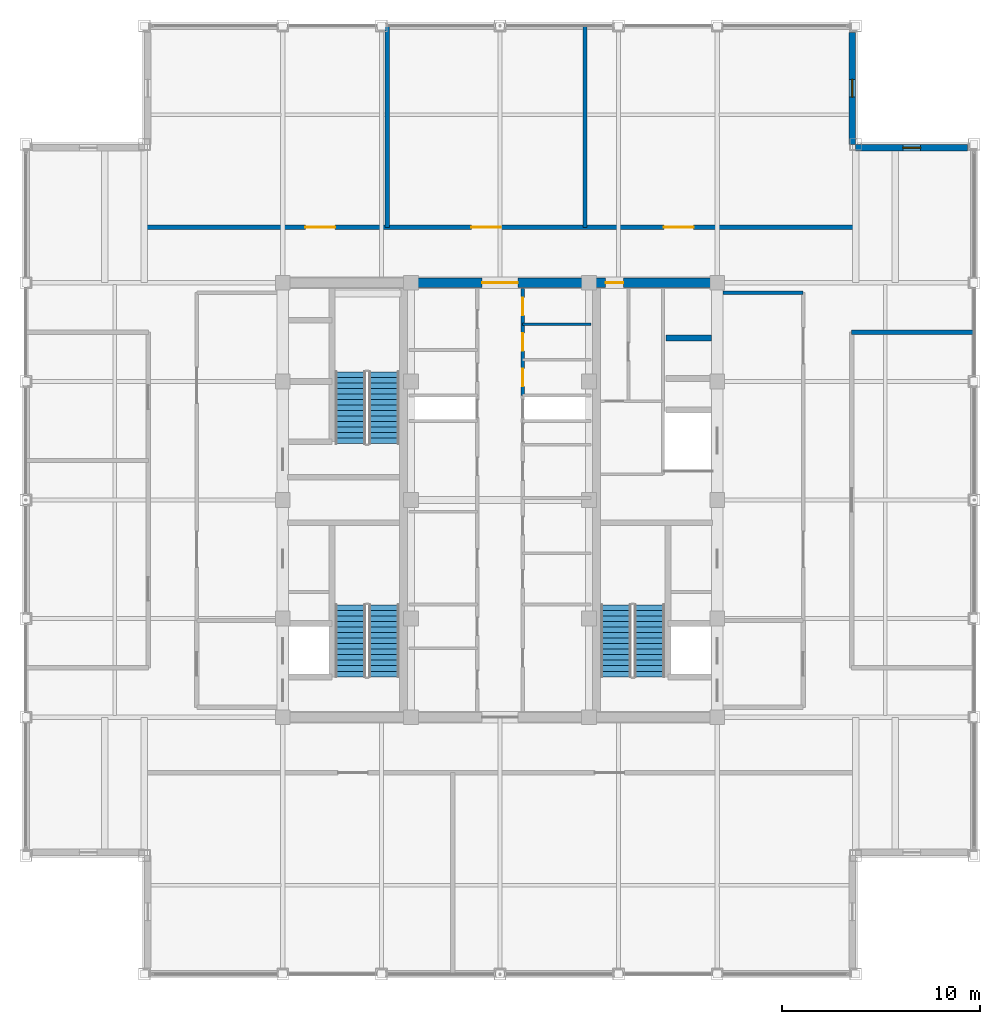
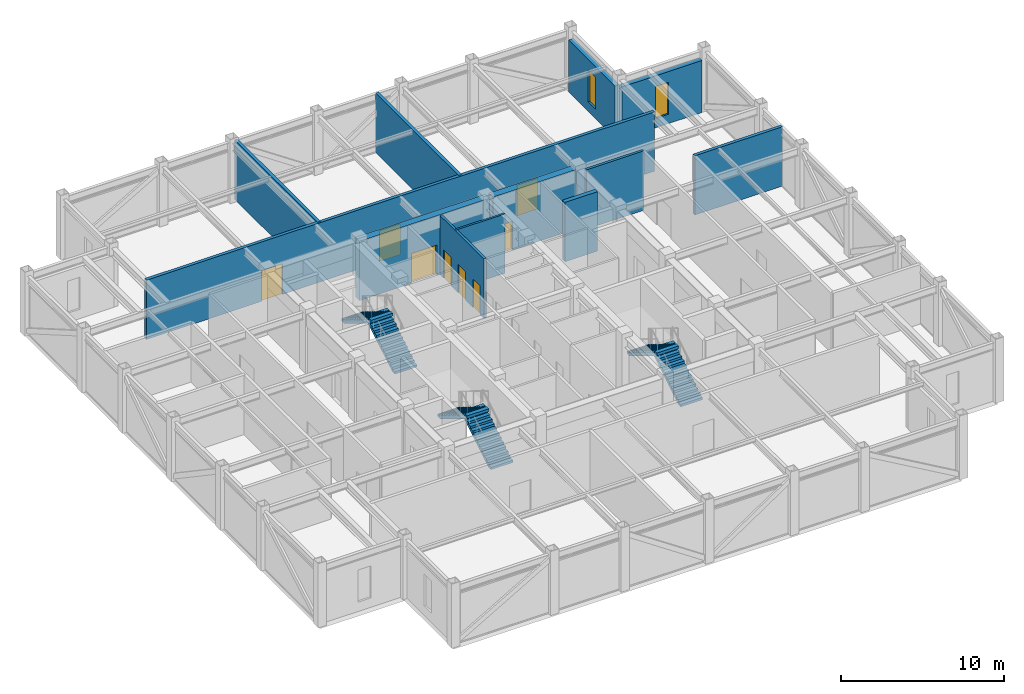
# One storey, part 26 of 27: 12 walls, 8 doors, 6 stair flights, 2 windows, 10 openings, 3 elements without a shape of their own.
"""IFC4 building model written with IfcOpenShell, lengths in metres."""

import ifcopenshell
import ifcopenshell.guid

model = None  # the IFC model being written
_history = None  # IfcOwnerHistory: only IFC2X3 demands one
_inside = {}  # id of a spatial element -> (the spatial element, [elements in it])
_under = {}  # id of a project, library or spatial element -> (it, [spatial elements below it])
_declared = {}  # id of a project -> (the project, [libraries it declares])
_typed = {}  # id of a type object -> (the type object, [elements of that type])
_made_of = {}  # id of a material, layer set ... -> (it, [elements and type objects made of it])


def new_model(schema):
    """Start an empty IFC model of exactly this schema.

    Asked for "IFC4X3", IfcOpenShell would pick the latest addendum, in which some entities
    have other attributes; the version numbers below select the first issue.
    IFC2X3 requires an IfcOwnerHistory on every rooted entity: one is made here for all.
    """
    global model, _history
    if schema == "IFC4X3":
        model = ifcopenshell.file(schema_version=(4, 3, 0, 0))
    else:
        model = ifcopenshell.file(schema=schema)
    _inside.clear()
    _under.clear()
    _declared.clear()
    _typed.clear()
    _made_of.clear()
    _history = None
    if model.schema == "IFC2X3":
        org = make("IfcOrganization", Name="unknown")
        user = make(
            "IfcPersonAndOrganization",
            ThePerson=make("IfcPerson", FamilyName="unknown"),
            TheOrganization=org,
        )
        app = make(
            "IfcApplication",
            ApplicationDeveloper=org,
            Version="unknown",
            ApplicationFullName="unknown",
            ApplicationIdentifier="unknown",
        )
        _history = make(
            "IfcOwnerHistory",
            OwningUser=user,
            OwningApplication=app,
            ChangeAction="ADDED",
            CreationDate=0,
        )
    return model


def make(cls, **values):
    """One entity of the class cls with the attributes given. An attribute that is None is left unset."""
    return model.create_entity(
        cls, **{name: value for name, value in values.items() if value is not None}
    )


def rooted(cls, **values):
    """An entity with a GlobalId (a new one), such as an element, a storey or a relation."""
    return make(cls, GlobalId=ifcopenshell.guid.new(), OwnerHistory=_history, **values)


def si_unit(unit_type, name, prefix=None):
    """IfcSIUnit, for example si_unit("LENGTHUNIT", "METRE", prefix="MILLI")."""
    return make("IfcSIUnit", UnitType=unit_type, Prefix=prefix, Name=name)


def assignment(units):
    """IfcUnitAssignment: the units of a project."""
    return None if units is None else make("IfcUnitAssignment", Units=units)


def point(xyz):
    """IfcCartesianPoint."""
    return None if xyz is None else make("IfcCartesianPoint", Coordinates=xyz)


def direction(xyz):
    """IfcDirection."""
    return None if xyz is None else make("IfcDirection", DirectionRatios=xyz)


def frame(location, z_axis=None, x_axis=None):
    """IfcAxis2Placement3D, a coordinate frame: its origin and axes. An axis left out is left unset."""
    return make(
        "IfcAxis2Placement3D",
        Location=point(location),
        Axis=direction(z_axis),
        RefDirection=direction(x_axis),
    )


def frame_2d(location, x_axis=None):
    """IfcAxis2Placement2D, a coordinate frame in the plane: its origin and x axis."""
    return make(
        "IfcAxis2Placement2D", Location=point(location), RefDirection=direction(x_axis)
    )


def origin():
    """The frame at (0, 0, 0) with its axes left unset."""
    return frame((0.0, 0.0, 0.0))


def place(relative_to, where):
    """IfcLocalPlacement: puts the frame where relative to a parent placement (None: the world)."""
    return make(
        "IfcLocalPlacement", PlacementRelTo=relative_to, RelativePlacement=where
    )


def context(
    kind, dimensions, precision=None, world=None, true_north=None, identifier=None
):
    """IfcGeometricRepresentationContext, for example the 3D "Model" context."""
    return make(
        "IfcGeometricRepresentationContext",
        ContextIdentifier=identifier,
        ContextType=kind,
        CoordinateSpaceDimension=dimensions,
        Precision=precision,
        WorldCoordinateSystem=world,
        TrueNorth=true_north,
    )


def subcontext(parent, identifier, kind, view, scale=None):
    """IfcGeometricRepresentationSubContext, for example "Body" below "Model"."""
    return make(
        "IfcGeometricRepresentationSubContext",
        ContextIdentifier=identifier,
        ContextType=kind,
        ParentContext=parent,
        TargetScale=scale,
        TargetView=view,
    )


def project(units=None, contexts=None):
    """IfcProject with its units and contexts."""
    return rooted(
        "IfcProject",
        Name="project",
        RepresentationContexts=contexts,
        UnitsInContext=assignment(units),
    )


def spatial(cls, under=None, at=None, **own):
    """A site, building, storey or space (cls), placed at a placement, below another one or the project."""
    s = rooted(cls, ObjectPlacement=at, **own)
    if under is not None:
        _under.setdefault(under.id(), (under, []))[1].append(s)
    return s


def polyline(points):
    """IfcPolyline through the points."""
    return make("IfcPolyline", Points=[point(p) for p in points])


def profile(cls, at=None, kind="AREA", **sizes):
    """A parametric profile (cls). Its sizes go by their IFC names, for example OverallWidth=200.0."""
    return make(cls, ProfileType=kind, Position=at, **sizes)


def rectangle(**sizes):
    """IfcRectangleProfileDef."""
    return profile("IfcRectangleProfileDef", **sizes)


def outline(outer, holes=None, kind="AREA"):
    """IfcArbitraryClosedProfileDef: a profile drawn as a closed curve; with holes, ...WithVoids."""
    if holes is None:
        return make("IfcArbitraryClosedProfileDef", ProfileType=kind, OuterCurve=outer)
    return make(
        "IfcArbitraryProfileDefWithVoids",
        ProfileType=kind,
        OuterCurve=outer,
        InnerCurves=holes,
    )


def extrude(swept, where, along, depth):
    """IfcExtrudedAreaSolid: the profile swept, set in the frame where, extruded along a direction by depth."""
    return make(
        "IfcExtrudedAreaSolid",
        SweptArea=swept,
        Position=where,
        ExtrudedDirection=direction(along),
        Depth=depth,
    )


def shape(context_of_items, identifier, shape_type, items):
    """IfcShapeRepresentation: the items that make up one representation, for example the "Body"."""
    return make(
        "IfcShapeRepresentation",
        ContextOfItems=context_of_items,
        RepresentationIdentifier=identifier,
        RepresentationType=shape_type,
        Items=items,
    )


def source(mapping_origin, context_of_items, identifier, shape_type, items):
    """IfcRepresentationMap: a shape defined once, which mapped items show again and again."""
    return make(
        "IfcRepresentationMap",
        MappingOrigin=mapping_origin,
        MappedRepresentation=shape(context_of_items, identifier, shape_type, items),
    )


def transform(
    local_origin,
    x_axis=None,
    y_axis=None,
    z_axis=None,
    scale=None,
    scale2=None,
    scale3=None,
    uniform=True,
):
    """IfcCartesianTransformationOperator3D, or its non-uniform kind. x_axis, y_axis, z_axis: its Axis1, 2, 3."""
    if uniform:
        return make(
            "IfcCartesianTransformationOperator3D",
            Axis1=direction(x_axis),
            Axis2=direction(y_axis),
            LocalOrigin=point(local_origin),
            Scale=scale,
            Axis3=direction(z_axis),
        )
    return make(
        "IfcCartesianTransformationOperator3DnonUniform",
        Axis1=direction(x_axis),
        Axis2=direction(y_axis),
        LocalOrigin=point(local_origin),
        Scale=scale,
        Axis3=direction(z_axis),
        Scale2=scale2,
        Scale3=scale3,
    )


def mapped(mapping_source, mapping_target):
    """IfcMappedItem: shows the shape of a source again, moved by a transform."""
    return make(
        "IfcMappedItem", MappingSource=mapping_source, MappingTarget=mapping_target
    )


def material(Name=None, Category=None):
    """IfcMaterial."""
    return make("IfcMaterial", Name=Name, Category=Category)


def layer(
    of_material, thickness, ventilated=None, Name=None, Category=None, Priority=None
):
    """IfcMaterialLayer: one layer of a wall or slab, of a material (None: an air gap)."""
    return make(
        "IfcMaterialLayer",
        Material=of_material,
        LayerThickness=thickness,
        IsVentilated=ventilated,
        Name=Name,
        Category=Category,
        Priority=Priority,
    )


def layer_set(layers, Name=None):
    """IfcMaterialLayerSet."""
    return make("IfcMaterialLayerSet", MaterialLayers=layers, LayerSetName=Name)


def made_of(thing, what):
    """Note that an element or type object is made of a material, layer set ...; save() writes the relation."""
    if what is not None:
        _made_of.setdefault(what.id(), (what, []))[1].append(thing)
    return thing


def type_object(cls, material=None, **own):
    """A type object (cls), such as IfcWallType, which elements share."""
    return made_of(rooted(cls, **own), material)


def element(
    cls,
    number,
    at=None,
    inside=None,
    cuts=None,
    type_object=None,
    material=None,
    context=None,
    identifier="Body",
    shape_type=None,
    held_by="IfcProductDefinitionShape",
    body=None,
    shapes=None,
    **own,
):
    """One element of the class cls, such as IfcWall. Its Tag is "e" and its number.

    at: its placement. inside: the storey or other place that contains it. cuts: it is an
    opening in that element (IfcRelVoidsElement). A single representation is given by context,
    identifier, shape_type and body (its items); several are given by shapes. held_by: the class
    of the entity that holds the representations. save() writes the other relations.
    """
    e = rooted(cls, Tag="e%d" % number, ObjectPlacement=at, **own)
    if body is not None:
        shapes = [shape(context, identifier, shape_type, body)]
    if shapes is not None:
        e.Representation = make(held_by, Representations=shapes)
    if inside is not None:
        _inside.setdefault(inside.id(), (inside, []))[1].append(e)
    if cuts is not None:
        rooted(
            "IfcRelVoidsElement", RelatingBuildingElement=cuts, RelatedOpeningElement=e
        )
    if type_object is not None:
        _typed.setdefault(type_object.id(), (type_object, []))[1].append(e)
    return made_of(e, material)


def fill(opening, filler):
    """IfcRelFillsElement: the door or window that sits in an opening."""
    return rooted(
        "IfcRelFillsElement",
        RelatingOpeningElement=opening,
        RelatedBuildingElement=filler,
    )


def aggregate(whole, parts):
    """IfcRelAggregates: a whole, such as a stair, and the parts it consists of."""
    return rooted("IfcRelAggregates", RelatingObject=whole, RelatedObjects=parts)


def save(model, path):
    """Write the relations noted so far, then the file.

    IfcRelAggregates (storeys below a building ...), IfcRelContainedInSpatialStructure (elements
    in a storey), IfcRelDefinesByType, IfcRelAssociatesMaterial and IfcRelDeclares: one each for
    every whole, place, type object, material and project.
    """
    for whole, parts in _under.values():
        aggregate(whole, parts)
    for where, things in _inside.values():
        rooted(
            "IfcRelContainedInSpatialStructure",
            RelatedElements=things,
            RelatingStructure=where,
        )
    for kind, things in _typed.values():
        rooted("IfcRelDefinesByType", RelatedObjects=things, RelatingType=kind)
    for what, things in _made_of.values():
        rooted("IfcRelAssociatesMaterial", RelatedObjects=things, RelatingMaterial=what)
    for by, libraries in _declared.values():
        rooted("IfcRelDeclares", RelatingContext=by, RelatedDefinitions=libraries)
    model.write(path)


model = new_model("IFC4")

# Units and contexts
model_context = context("Model", 3, precision=1e-05, world=origin(), true_north=direction((0.0, 1.0)))
body_context = subcontext(model_context, "Body", "Model", "MODEL_VIEW")
ifc_project = project(units=[si_unit("LENGTHUNIT", "METRE"), si_unit("AREAUNIT", "SQUARE_METRE"), si_unit("VOLUMEUNIT", "CUBIC_METRE"), si_unit("PLANEANGLEUNIT", "RADIAN"), si_unit("MASSUNIT", "GRAM", prefix="KILO")], contexts=[model_context])

# Site, building, storey
site_placement = place(None, origin())
site = spatial("IfcSite", under=ifc_project, at=site_placement, CompositionType="ELEMENT")
building_placement = place(site_placement, origin())
building = spatial("IfcBuilding", under=site, at=building_placement, Name="Khorayat Bourse Tower", CompositionType="ELEMENT")
storey_placement = place(building_placement, frame((0.0, 0.0, 385.10009765625)))
storey = spatial("IfcBuildingStorey", under=building, at=storey_placement, Name="L91", CompositionType="ELEMENT", Elevation=385.10009765625)

# Wall, opening, door
ifc_material_1 = material(Name="Concrete C52/65", Category="concrete")
ifc_layer_1 = layer(ifc_material_1, 0.5)
ifc_layer_set_1 = layer_set([ifc_layer_1], Name="Concrete C52/65")
wall_type_1 = type_object("IfcWallType", Name="WAL-CORE-500", PredefinedType="SHEAR", material=ifc_layer_set_1)
shared_shape_1 = source(origin(), body_context, "Body", "SweptSolid", [
    extrude(rectangle(XDim=5.89990234375, YDim=0.5, at=frame_2d((2.949951171875, 0.0))), origin(), (0.0, 0.0, 1.0), 4.449951171875),
])
wall_1_placement = place(storey_placement, frame((4.85009765625, 11.0, 0.0), z_axis=(0.0, 0.0, 1.0), x_axis=(1.0, 0.0, 0.0)))
wall_1 = element("IfcWall", 1, at=wall_1_placement, inside=storey, type_object=wall_type_1, Name="L91 Core Shear Wall PIER-EN", PredefinedType="SHEAR", context=body_context, shape_type="MappedRepresentation", body=[
    mapped(shared_shape_1, transform((0.0, 0.0, 0.0), scale=1.0)),
])
shared_shape_2 = source(origin(), body_context, "Body", "SweptSolid", [
    extrude(rectangle(XDim=0.89990234375, YDim=2.14990234375, at=frame_2d((0.449951171875, 1.074951171875))), frame((0.0, 0.260009765625, 0.0), z_axis=(0.0, -1.0, 0.0), x_axis=(1.0, 0.0, 0.0)), (0.0, 0.0, 1.0), 0.52001953125),
])
opening_1_placement = place(wall_1_placement, frame((0.5, 0.0, 0.0)))
opening_1 = element("IfcOpeningElement", 2, at=opening_1_placement, cuts=wall_1, Name="Opening DI-06", PredefinedType="OPENING", context=body_context, shape_type="MappedRepresentation", body=[
    mapped(shared_shape_2, transform((0.0, 0.0, 0.0), scale=1.0)),
])
ifc_material_2 = material(Name="Moisture-resistant laminate washroom door")
door_type_1 = type_object("IfcDoorType", Name="DR-INT-WC-900", OperationType="NOTDEFINED", PredefinedType="DOOR", material=ifc_material_2)
shared_shape_3 = source(origin(), body_context, "Body", "SweptSolid", [
    extrude(rectangle(XDim=0.89990234375, YDim=2.14990234375, at=frame_2d((0.449951171875, 1.074951171875))), frame((0.0, 0.02490234375, 0.0), z_axis=(0.0, -1.0, 0.0), x_axis=(1.0, 0.0, 0.0)), (0.0, 0.0, 1.0), 0.050048828125),
])
door_1_placement = place(opening_1_placement, origin())
door_1 = element("IfcDoor", 3, at=door_1_placement, inside=storey, type_object=door_type_1, Name="L91 Core Washroom Lobby Door", OperationType="SINGLE_SWING_LEFT", OverallHeight=2.14990234375, OverallWidth=0.89990234375, PredefinedType="DOOR", context=body_context, shape_type="MappedRepresentation", body=[
    mapped(shared_shape_3, transform((0.0, 0.0, 0.0), scale=1.0)),
])
fill(opening_1, door_1)

shared_shape_4 = source(origin(), body_context, "Body", "SweptSolid", [
    extrude(rectangle(XDim=9.2001953125, YDim=0.5, at=frame_2d((4.60009765625, 0.0))), origin(), (0.0, 0.0, 1.0), 4.449951171875),
])
wall_2_placement = place(storey_placement, frame((-4.60009765625, 11.0, 0.0), z_axis=(0.0, 0.0, 1.0), x_axis=(1.0, 0.0, 0.0)))
wall_2 = element("IfcWall", 4, at=wall_2_placement, inside=storey, type_object=wall_type_1, Name="L91 Core Shear Wall CORE-N", PredefinedType="SHEAR", context=body_context, shape_type="MappedRepresentation", body=[
    mapped(shared_shape_4, transform((0.0, 0.0, 0.0), scale=1.0)),
])
shared_shape_5 = source(origin(), body_context, "Body", "SweptSolid", [
    extrude(rectangle(XDim=1.800048828125, YDim=2.25, at=frame_2d((0.89990234375, 1.125))), frame((0.0, 0.260009765625, 0.0), z_axis=(0.0, -1.0, 0.0), x_axis=(1.0, 0.0, 0.0)), (0.0, 0.0, 1.0), 0.52001953125),
])
opening_2_placement = place(wall_2_placement, frame((3.699951171875, 0.0, 0.0)))
opening_2 = element("IfcOpeningElement", 5, at=opening_2_placement, cuts=wall_2, Name="Opening DI-03", PredefinedType="OPENING", context=body_context, shape_type="MappedRepresentation", body=[
    mapped(shared_shape_5, transform((0.0, 0.0, 0.0), scale=1.0)),
])
ifc_material_3 = material(Name="Fire-rated hardwood vision-panel double leaf", Category="wood")
door_type_2 = type_object("IfcDoorType", Name="DR-INT-CORR-1800", OperationType="NOTDEFINED", PredefinedType="DOOR", material=ifc_material_3)
shared_shape_6 = source(origin(), body_context, "Body", "SweptSolid", [
    extrude(rectangle(XDim=1.800048828125, YDim=2.25, at=frame_2d((0.89990234375, 1.125))), frame((0.0, 0.02490234375, 0.0), z_axis=(0.0, -1.0, 0.0), x_axis=(1.0, 0.0, 0.0)), (0.0, 0.0, 1.0), 0.050048828125),
])
door_2_placement = place(opening_2_placement, origin())
door_2 = element("IfcDoor", 6, at=door_2_placement, inside=storey, type_object=door_type_2, Name="L91 Central Core North Passage Door", OperationType="SINGLE_SWING_RIGHT", OverallHeight=2.25, OverallWidth=1.800048828125, PredefinedType="DOOR", context=body_context, shape_type="MappedRepresentation", body=[
    mapped(shared_shape_6, transform((0.0, 0.0, 0.0), scale=1.0)),
])
fill(opening_2, door_2)

# Wall, opening, window
ifc_material_4 = material(Name="Precast concrete C45/55", Category="concrete")
ifc_layer_2 = layer(ifc_material_4, 0.320068359375)
ifc_layer_set_2 = layer_set([ifc_layer_2], Name="Precast concrete C45/55")
wall_type_2 = type_object("IfcWallType", Name="WAL-EXT-STONE-320", PredefinedType="STANDARD", material=ifc_layer_set_2)
shared_shape_7 = source(origin(), body_context, "Body", "SweptSolid", [
    extrude(rectangle(XDim=5.679931640625, YDim=0.320068359375, at=frame_2d((2.83984375, 0.0))), origin(), (0.0, 0.0, 1.0), 3.90087890625),
])
wall_3_placement = place(storey_placement, frame((18.0, 17.840087890625, 0.0), z_axis=(0.0, 0.0, 1.0), x_axis=(1.0, 0.0, 0.0)))
wall_3 = element("IfcWall", 7, at=wall_3_placement, inside=storey, type_object=wall_type_2, Name="L91 Re-Entrant Notch Limestone Wall NE-H", PredefinedType="STANDARD", context=body_context, shape_type="MappedRepresentation", body=[
    mapped(shared_shape_7, transform((0.0, 0.0, 0.0), scale=1.0)),
])
shared_shape_8 = source(origin(), body_context, "Body", "SweptSolid", [
    extrude(rectangle(XDim=0.89990234375, YDim=2.39990234375, at=frame_2d((0.449951171875, 1.199951171875))), frame((0.0, 0.169921875, 0.0), z_axis=(0.0, -1.0, 0.0), x_axis=(1.0, 0.0, 0.0)), (0.0, 0.0, 1.0), 0.340087890625),
])
opening_3_placement = place(wall_3_placement, frame((2.389892578125, 0.0, 0.699951171875)))
opening_3 = element("IfcOpeningElement", 8, at=opening_3_placement, cuts=wall_3, Name="Opening WN-03", PredefinedType="OPENING", context=body_context, shape_type="MappedRepresentation", body=[
    mapped(shared_shape_8, transform((0.0, 0.0, 0.0), scale=1.0)),
])
ifc_material_5 = material(Name="Deep-reveal solar-control double glazing", Category="glass")
window_type = type_object("IfcWindowType", Name="WIN-SLOT-900x2400", PartitioningType="SINGLE_PANEL", PredefinedType="WINDOW", material=ifc_material_5)
shared_shape_9 = source(origin(), body_context, "Body", "SweptSolid", [
    extrude(rectangle(XDim=0.89990234375, YDim=2.39990234375, at=frame_2d((0.449951171875, 1.199951171875))), frame((0.0, 0.030029296875, 0.0), z_axis=(0.0, -1.0, 0.0), x_axis=(1.0, 0.0, 0.0)), (0.0, 0.0, 1.0), 0.06005859375),
])
window_1_placement = place(opening_3_placement, origin())
window_1 = element("IfcWindow", 9, at=window_1_placement, inside=storey, type_object=window_type, Name="L91 Facade Window 1", OverallHeight=2.39990234375, OverallWidth=0.89990234375, PartitioningType="SINGLE_PANEL", PredefinedType="WINDOW", context=body_context, shape_type="MappedRepresentation", body=[
    mapped(shared_shape_9, transform((0.0, 0.0, 0.0), scale=1.0)),
])
fill(opening_3, window_1)

wall_4_placement = place(storey_placement, frame((17.840087890625, 18.0, 0.0), z_axis=(0.0, 0.0, 1.0), x_axis=(0.0, 1.0, 0.0)))
wall_4 = element("IfcWall", 10, at=wall_4_placement, inside=storey, type_object=wall_type_2, Name="L91 Re-Entrant Notch Limestone Wall NE-V", PredefinedType="STANDARD", context=body_context, shape_type="MappedRepresentation", body=[
    mapped(shared_shape_7, transform((0.0, 0.0, 0.0), scale=1.0)),
])
opening_4_placement = place(wall_4_placement, frame((2.389892578125, 0.0, 0.699951171875)))
opening_4 = element("IfcOpeningElement", 11, at=opening_4_placement, cuts=wall_4, Name="Opening WN-03", PredefinedType="OPENING", context=body_context, shape_type="MappedRepresentation", body=[
    mapped(shared_shape_8, transform((0.0, 0.0, 0.0), scale=1.0)),
])
window_2_placement = place(opening_4_placement, origin())
window_2 = element("IfcWindow", 12, at=window_2_placement, inside=storey, type_object=window_type, Name="L91 Facade Window 1", OverallHeight=2.39990234375, OverallWidth=0.89990234375, PartitioningType="SINGLE_PANEL", PredefinedType="WINDOW", context=body_context, shape_type="MappedRepresentation", body=[
    mapped(shared_shape_9, transform((0.0, 0.0, 0.0), scale=1.0)),
])
fill(opening_4, window_2)

# Walls
ifc_material_6 = material(Name="Concrete C50/60", Category="concrete")
ifc_layer_3 = layer(ifc_material_6, 0.300048828125)
ifc_layer_set_3 = layer_set([ifc_layer_3], Name="Concrete C50/60")
wall_type_3 = type_object("IfcWallType", Name="WAL-SHAFT-300", PredefinedType="SHEAR", material=ifc_layer_set_3)
shared_shape_10 = source(origin(), body_context, "Body", "SweptSolid", [
    extrude(rectangle(XDim=2.300048828125, YDim=0.300048828125, at=frame_2d((1.14990234375, 0.0))), origin(), (0.0, 0.0, 1.0), 4.449951171875),
])
wall_5_placement = place(storey_placement, frame((8.39990234375, 8.199951171875, 0.0), z_axis=(0.0, 0.0, 1.0), x_axis=(1.0, 0.0, 0.0)))
element("IfcWall", 13, at=wall_5_placement, inside=storey, type_object=wall_type_3, Name="L91 Partition WAL-L91-EPIER-H34", PredefinedType="SHEAR", context=body_context, shape_type="MappedRepresentation", body=[
    mapped(shared_shape_10, transform((0.0, 0.0, 0.0), scale=1.0)),
])
ifc_material_7 = material(Name="Gypsum plasterboard acoustic stud wall")
ifc_layer_4 = layer(ifc_material_7, 0.179931640625)
ifc_layer_set_4 = layer_set([ifc_layer_4], Name="Gypsum plasterboard acoustic stud wall")
wall_type_4 = type_object("IfcWallType", Name="WAL-PART-CORR-180", PredefinedType="PARTITIONING", material=ifc_layer_set_4)
shared_shape_11 = source(origin(), body_context, "Body", "SweptSolid", [
    extrude(rectangle(XDim=4.050048828125, YDim=0.179931640625, at=frame_2d((2.02490234375, 0.0))), origin(), (0.0, 0.0, 1.0), 4.449951171875),
])
wall_6_placement = place(storey_placement, frame((11.300048828125, 10.5, 0.0), z_axis=(0.0, 0.0, 1.0), x_axis=(1.0, 0.0, 0.0)))
element("IfcWall", 14, at=wall_6_placement, inside=storey, type_object=wall_type_4, Name="L91 Partition WAL-L91-ELOB-N", PredefinedType="PARTITIONING", context=body_context, shape_type="MappedRepresentation", body=[
    mapped(shared_shape_11, transform((0.0, 0.0, 0.0), scale=1.0)),
])
ifc_material_8 = material(Name="Moisture-resistant masonry partition", Category="masonry")
ifc_layer_5 = layer(ifc_material_8, 0.139892578125)
ifc_layer_set_5 = layer_set([ifc_layer_5], Name="Moisture-resistant masonry partition")
wall_type_5 = type_object("IfcWallType", Name="WAL-PART-WET-140", PredefinedType="PARTITIONING", material=ifc_layer_set_5)
shared_shape_12 = source(origin(), body_context, "Body", "SweptSolid", [
    extrude(rectangle(XDim=3.4501953125, YDim=0.139892578125, at=frame_2d((1.72509765625, 0.0))), origin(), (0.0, 0.0, 1.0), 4.449951171875),
])
wall_7_placement = place(storey_placement, frame((1.14990234375, 8.89990234375, 0.0), z_axis=(0.0, 0.0, 1.0), x_axis=(1.0, 0.0, 0.0)))
element("IfcWall", 15, at=wall_7_placement, inside=storey, type_object=wall_type_5, Name="L91 Partition WAL-L91-FB2E-D2", PredefinedType="PARTITIONING", context=body_context, shape_type="MappedRepresentation", body=[
    mapped(shared_shape_12, transform((0.0, 0.0, 0.0), scale=1.0)),
])

# Wall, openings, doors
shared_shape_13 = source(origin(), body_context, "Body", "SweptSolid", [
    extrude(rectangle(XDim=5.39990234375, YDim=0.179931640625, at=frame_2d((2.699951171875, 0.0))), origin(), (0.0, 0.0, 1.0), 4.449951171875),
])
wall_8_placement = place(storey_placement, frame((1.14990234375, 5.300048828125, 0.0), z_axis=(0.0, 0.0, 1.0), x_axis=(0.0, 1.0, 0.0)))
wall_8 = element("IfcWall", 16, at=wall_8_placement, inside=storey, type_object=wall_type_4, Name="L91 Partition WAL-L91-FB2E-L", PredefinedType="PARTITIONING", context=body_context, shape_type="MappedRepresentation", body=[
    mapped(shared_shape_13, transform((0.0, 0.0, 0.0), scale=1.0)),
])
shared_shape_14 = source(origin(), body_context, "Body", "SweptSolid", [
    extrude(rectangle(XDim=0.89990234375, YDim=2.14990234375, at=frame_2d((0.449951171875, 1.074951171875))), frame((0.0, 0.099853515625, 0.0), z_axis=(0.0, -1.0, 0.0), x_axis=(1.0, 0.0, 0.0)), (0.0, 0.0, 1.0), 0.199951171875),
])
opening_5_placement = place(wall_8_placement, frame((0.449951171875, 0.0, 0.0)))
opening_5 = element("IfcOpeningElement", 17, at=opening_5_placement, cuts=wall_8, Name="Opening DI-06", PredefinedType="OPENING", context=body_context, shape_type="MappedRepresentation", body=[
    mapped(shared_shape_14, transform((0.0, 0.0, 0.0), scale=1.0)),
])
opening_6_placement = place(wall_8_placement, frame((2.25, 0.0, 0.0)))
opening_6 = element("IfcOpeningElement", 18, at=opening_6_placement, cuts=wall_8, Name="Opening DI-06", PredefinedType="OPENING", context=body_context, shape_type="MappedRepresentation", body=[
    mapped(shared_shape_14, transform((0.0, 0.0, 0.0), scale=1.0)),
])
opening_7_placement = place(wall_8_placement, frame((4.050048828125, 0.0, 0.0)))
opening_7 = element("IfcOpeningElement", 19, at=opening_7_placement, cuts=wall_8, Name="Opening DI-06", PredefinedType="OPENING", context=body_context, shape_type="MappedRepresentation", body=[
    mapped(shared_shape_14, transform((0.0, 0.0, 0.0), scale=1.0)),
])
door_3_placement = place(opening_5_placement, origin())
door_3 = element("IfcDoor", 20, at=door_3_placement, inside=storey, type_object=door_type_1, Name="L91 Linen Store Door", OperationType="SINGLE_SWING_RIGHT", OverallHeight=2.14990234375, OverallWidth=0.89990234375, PredefinedType="DOOR", context=body_context, shape_type="MappedRepresentation", body=[
    mapped(shared_shape_3, transform((0.0, 0.0, 0.0), scale=1.0)),
])
fill(opening_5, door_3)
door_4_placement = place(opening_6_placement, origin())
door_4 = element("IfcDoor", 21, at=door_4_placement, inside=storey, type_object=door_type_1, Name="L91 Sub-Meter Room Door", OperationType="SINGLE_SWING_LEFT", OverallHeight=2.14990234375, OverallWidth=0.89990234375, PredefinedType="DOOR", context=body_context, shape_type="MappedRepresentation", body=[
    mapped(shared_shape_3, transform((0.0, 0.0, 0.0), scale=1.0)),
])
fill(opening_6, door_4)
door_5_placement = place(opening_7_placement, origin())
door_5 = element("IfcDoor", 22, at=door_5_placement, inside=storey, type_object=door_type_1, Name="L91 Records Store Door", OperationType="SINGLE_SWING_RIGHT", OverallHeight=2.14990234375, OverallWidth=0.89990234375, PredefinedType="DOOR", context=body_context, shape_type="MappedRepresentation", body=[
    mapped(shared_shape_3, transform((0.0, 0.0, 0.0), scale=1.0)),
])
fill(opening_7, door_5)

# Walls
ifc_material_9 = material(Name="Aerated concrete blockwork", Category="masonry")
ifc_layer_6 = layer(ifc_material_9, 0.219970703125)
ifc_layer_set_6 = layer_set([ifc_layer_6], Name="Aerated concrete blockwork")
wall_type_6 = type_object("IfcWallType", Name="WAL-PART-FF-220", PredefinedType="PARTITIONING", material=ifc_layer_set_6)
shared_shape_15 = source(origin(), body_context, "Body", "SweptSolid", [
    extrude(rectangle(XDim=10.199951171875, YDim=0.219970703125, at=frame_2d((5.10009765625, 0.0))), origin(), (0.0, 0.0, 1.0), 4.449951171875),
])
for number, where, z_axis, x_axis, name in (
    (23, (-5.699951171875, 13.800048828125, 0.0), (0.0, 0.0, 1.0), (0.0, 1.0, 0.0), "L91 Partition WAL-L91-PLN-D1"),
    (24, (4.300048828125, 13.800048828125, 0.0), (0.0, 0.0, 1.0), (0.0, 1.0, 0.0), "L91 Partition WAL-L91-PLN-D2"),
):
    element("IfcWall", number, at=place(storey_placement, frame(where, z_axis=z_axis, x_axis=x_axis)), inside=storey, type_object=wall_type_6, Name=name, PredefinedType="PARTITIONING", context=body_context, shape_type="MappedRepresentation", body=[
        mapped(shared_shape_15, transform((0.0, 0.0, 0.0), scale=1.0)),
    ])
shared_shape_16 = source(origin(), body_context, "Body", "SweptSolid", [
    extrude(rectangle(XDim=6.199951171875, YDim=0.219970703125, at=frame_2d((3.10009765625, 0.0))), origin(), (0.0, 0.0, 1.0), 4.449951171875),
])
wall_9_placement = place(storey_placement, frame((17.800048828125, 8.5, 0.0), z_axis=(0.0, 0.0, 1.0), x_axis=(1.0, 0.0, 0.0)))
element("IfcWall", 25, at=wall_9_placement, inside=storey, type_object=wall_type_6, Name="L91 Partition WAL-L91-PLE-N", PredefinedType="PARTITIONING", context=body_context, shape_type="MappedRepresentation", body=[
    mapped(shared_shape_16, transform((0.0, 0.0, 0.0), scale=1.0)),
])

# Wall, openings, doors
shared_shape_17 = source(origin(), body_context, "Body", "SweptSolid", [
    extrude(rectangle(XDim=36.0, YDim=0.219970703125, at=frame_2d((18.0, 0.0))), origin(), (0.0, 0.0, 1.0), 4.449951171875),
])
wall_10_placement = place(storey_placement, frame((-18.0, 13.800048828125, 0.0), z_axis=(0.0, 0.0, 1.0), x_axis=(1.0, 0.0, 0.0)))
wall_10 = element("IfcWall", 26, at=wall_10_placement, inside=storey, type_object=wall_type_6, Name="L91 Partition WAL-L91-PLN-S", PredefinedType="PARTITIONING", context=body_context, shape_type="MappedRepresentation", body=[
    mapped(shared_shape_17, transform((0.0, 0.0, 0.0), scale=1.0)),
])
shared_shape_18 = source(origin(), body_context, "Body", "SweptSolid", [
    extrude(rectangle(XDim=1.5, YDim=2.300048828125, at=frame_2d((0.75, 1.14990234375))), frame((0.0, 0.119873046875, 0.0), z_axis=(0.0, -1.0, 0.0), x_axis=(1.0, 0.0, 0.0)), (0.0, 0.0, 1.0), 0.239990234375),
])
opening_8_placement = place(wall_10_placement, frame((8.14990234375, 0.0, 0.0)))
opening_8 = element("IfcOpeningElement", 27, at=opening_8_placement, cuts=wall_10, Name="Opening DI-07", PredefinedType="OPENING", context=body_context, shape_type="MappedRepresentation", body=[
    mapped(shared_shape_18, transform((0.0, 0.0, 0.0), scale=1.0)),
])
opening_9_placement = place(wall_10_placement, frame((16.550048828125, 0.0, 0.0)))
opening_9 = element("IfcOpeningElement", 28, at=opening_9_placement, cuts=wall_10, Name="Opening DI-07", PredefinedType="OPENING", context=body_context, shape_type="MappedRepresentation", body=[
    mapped(shared_shape_18, transform((0.0, 0.0, 0.0), scale=1.0)),
])
opening_10_placement = place(wall_10_placement, frame((26.300048828125, 0.0, 0.0)))
opening_10 = element("IfcOpeningElement", 29, at=opening_10_placement, cuts=wall_10, Name="Opening DI-07", PredefinedType="OPENING", context=body_context, shape_type="MappedRepresentation", body=[
    mapped(shared_shape_18, transform((0.0, 0.0, 0.0), scale=1.0)),
])
ifc_material_10 = material(Name="Louvred fire-rated steel plant double door", Category="steel")
door_type_3 = type_object("IfcDoorType", Name="DR-INT-PLANT-1500", OperationType="NOTDEFINED", PredefinedType="DOOR", material=ifc_material_10)
shared_shape_19 = source(origin(), body_context, "Body", "SweptSolid", [
    extrude(rectangle(XDim=1.5, YDim=2.300048828125, at=frame_2d((0.75, 1.14990234375))), frame((0.0, 0.02490234375, 0.0), z_axis=(0.0, -1.0, 0.0), x_axis=(1.0, 0.0, 0.0)), (0.0, 0.0, 1.0), 0.050048828125),
])
door_6_placement = place(opening_8_placement, origin())
door_6 = element("IfcDoor", 30, at=door_6_placement, inside=storey, type_object=door_type_3, Name="L91 AHU Plant Door", OperationType="SINGLE_SWING_LEFT", OverallHeight=2.300048828125, OverallWidth=1.5, PredefinedType="DOOR", context=body_context, shape_type="MappedRepresentation", body=[
    mapped(shared_shape_19, transform((0.0, 0.0, 0.0), scale=1.0)),
])
fill(opening_8, door_6)
door_7_placement = place(opening_9_placement, origin())
door_7 = element("IfcDoor", 31, at=door_7_placement, inside=storey, type_object=door_type_3, Name="L91 HV Switchgear Door", OperationType="SINGLE_SWING_RIGHT", OverallHeight=2.300048828125, OverallWidth=1.5, PredefinedType="DOOR", context=body_context, shape_type="MappedRepresentation", body=[
    mapped(shared_shape_19, transform((0.0, 0.0, 0.0), scale=1.0)),
])
fill(opening_9, door_7)
door_8_placement = place(opening_10_placement, origin())
door_8 = element("IfcDoor", 32, at=door_8_placement, inside=storey, type_object=door_type_3, Name="L91 BMS Plant Door", OperationType="SINGLE_SWING_LEFT", OverallHeight=2.300048828125, OverallWidth=1.5, PredefinedType="DOOR", context=body_context, shape_type="MappedRepresentation", body=[
    mapped(shared_shape_19, transform((0.0, 0.0, 0.0), scale=1.0)),
])
fill(opening_10, door_8)

# Stair, stair flights
ifc_material_11 = material(Name="Concrete C40/50", Category="concrete")
stair_type = type_object("IfcStairType", Name="STR-CORE-1550", PredefinedType="HALF_TURN_STAIR", material=ifc_material_11)
stair_1_placement = place(storey_placement, origin())
stair_1 = element("IfcStair", 33, at=stair_1_placement, inside=storey, type_object=stair_type, Name="L91 Exit Stair ST-1", PredefinedType="HALF_TURN_STAIR")
stair_flight_type = type_object("IfcStairFlightType", Name="FLT-CORE-1550", PredefinedType="STRAIGHT", material=ifc_material_11)
shared_shape_20 = source(origin(), body_context, "Body", "SweptSolid", [
    extrude(outline(polyline([(0.0, 0.0), (0.0, 0.17138671875), (0.280029296875, 0.17138671875), (0.280029296875, 0.3427734375), (0.56005859375, 0.3427734375), (0.56005859375, 0.514404296875), (0.840087890625, 0.514404296875), (0.840087890625, 0.685791015625), (1.1201171875, 0.685791015625), (1.1201171875, 0.857177734375), (1.39990234375, 0.857177734375), (1.39990234375, 1.028564453125), (1.679931640625, 1.028564453125), (1.679931640625, 1.199951171875), (1.9599609375, 1.199951171875), (1.9599609375, 1.371337890625), (2.239990234375, 1.371337890625), (2.239990234375, 1.54296875), (2.52001953125, 1.54296875), (2.52001953125, 1.71435546875), (2.800048828125, 1.71435546875), (2.800048828125, 1.8857421875), (3.080078125, 1.8857421875), (3.080078125, 2.05712890625), (3.360107421875, 2.05712890625), (3.360107421875, 2.228515625), (3.639892578125, 2.228515625), (3.639892578125, 2.39990234375), (3.639892578125, 2.017578125), (0.344482421875, 0.0), (0.0, 0.0)])), frame((0.0, 0.77490234375, 0.0), z_axis=(0.0, -1.0, 0.0), x_axis=(1.0, 0.0, 0.0)), (0.0, 0.0, 1.0), 1.550048828125),
])
stair_flight_1_placement = place(storey_placement, frame((-5.875, -8.949951171875, 0.0), z_axis=(0.0, 0.0, 1.0), x_axis=(0.0, 1.0, 0.0)))
stair_flight_1 = element("IfcStairFlight", 34, at=stair_flight_1_placement, type_object=stair_flight_type, Name="ST-1 flight 1", NumberOfRisers=14, NumberOfTreads=13, PredefinedType="STRAIGHT", RiserHeight=0.171428571, TreadLength=0.28, context=body_context, shape_type="MappedRepresentation", body=[
    mapped(shared_shape_20, transform((0.0, 0.0, 0.0), scale=1.0)),
])
stair_flight_2_placement = place(storey_placement, frame((-7.574951171875, -5.31005859375, 2.39990234375), z_axis=(0.0, 0.0, 1.0), x_axis=(0.0, -1.0, 0.0)))
stair_flight_2 = element("IfcStairFlight", 35, at=stair_flight_2_placement, type_object=stair_flight_type, Name="ST-1 flight 2", NumberOfRisers=14, NumberOfTreads=13, PredefinedType="STRAIGHT", RiserHeight=0.171428571, TreadLength=0.28, context=body_context, shape_type="MappedRepresentation", body=[
    mapped(shared_shape_20, transform((0.0, 0.0, 0.0), scale=1.0)),
])
aggregate(stair_1, [stair_flight_1, stair_flight_2])

stair_2_placement = place(storey_placement, origin())
stair_2 = element("IfcStair", 36, at=stair_2_placement, inside=storey, type_object=stair_type, Name="L91 Exit Stair ST-2", PredefinedType="HALF_TURN_STAIR")
stair_flight_3_placement = place(storey_placement, frame((-5.875, 2.85009765625, 0.0), z_axis=(0.0, 0.0, 1.0), x_axis=(0.0, 1.0, 0.0)))
stair_flight_3 = element("IfcStairFlight", 37, at=stair_flight_3_placement, type_object=stair_flight_type, Name="ST-2 flight 1", NumberOfRisers=14, NumberOfTreads=13, PredefinedType="STRAIGHT", RiserHeight=0.171428571, TreadLength=0.28, context=body_context, shape_type="MappedRepresentation", body=[
    mapped(shared_shape_20, transform((0.0, 0.0, 0.0), scale=1.0)),
])
stair_flight_4_placement = place(storey_placement, frame((-7.574951171875, 6.489990234375, 2.39990234375), z_axis=(0.0, 0.0, 1.0), x_axis=(0.0, -1.0, 0.0)))
stair_flight_4 = element("IfcStairFlight", 38, at=stair_flight_4_placement, type_object=stair_flight_type, Name="ST-2 flight 2", NumberOfRisers=14, NumberOfTreads=13, PredefinedType="STRAIGHT", RiserHeight=0.171428571, TreadLength=0.28, context=body_context, shape_type="MappedRepresentation", body=[
    mapped(shared_shape_20, transform((0.0, 0.0, 0.0), scale=1.0)),
])
aggregate(stair_2, [stair_flight_3, stair_flight_4])

stair_3_placement = place(storey_placement, origin())
stair_3 = element("IfcStair", 39, at=stair_3_placement, inside=storey, type_object=stair_type, Name="L91 Exit Stair ST-3", PredefinedType="HALF_TURN_STAIR")
stair_flight_5_placement = place(storey_placement, frame((7.574951171875, -8.949951171875, 0.0), z_axis=(0.0, 0.0, 1.0), x_axis=(0.0, 1.0, 0.0)))
stair_flight_5 = element("IfcStairFlight", 40, at=stair_flight_5_placement, type_object=stair_flight_type, Name="ST-3 flight 1", NumberOfRisers=14, NumberOfTreads=13, PredefinedType="STRAIGHT", RiserHeight=0.171428571, TreadLength=0.28, context=body_context, shape_type="MappedRepresentation", body=[
    mapped(shared_shape_20, transform((0.0, 0.0, 0.0), scale=1.0)),
])
stair_flight_6_placement = place(storey_placement, frame((5.875, -5.31005859375, 2.39990234375), z_axis=(0.0, 0.0, 1.0), x_axis=(0.0, -1.0, 0.0)))
stair_flight_6 = element("IfcStairFlight", 41, at=stair_flight_6_placement, type_object=stair_flight_type, Name="ST-3 flight 2", NumberOfRisers=14, NumberOfTreads=13, PredefinedType="STRAIGHT", RiserHeight=0.171428571, TreadLength=0.28, context=body_context, shape_type="MappedRepresentation", body=[
    mapped(shared_shape_20, transform((0.0, 0.0, 0.0), scale=1.0)),
])
aggregate(stair_3, [stair_flight_5, stair_flight_6])

save(model, "model.ifc")
